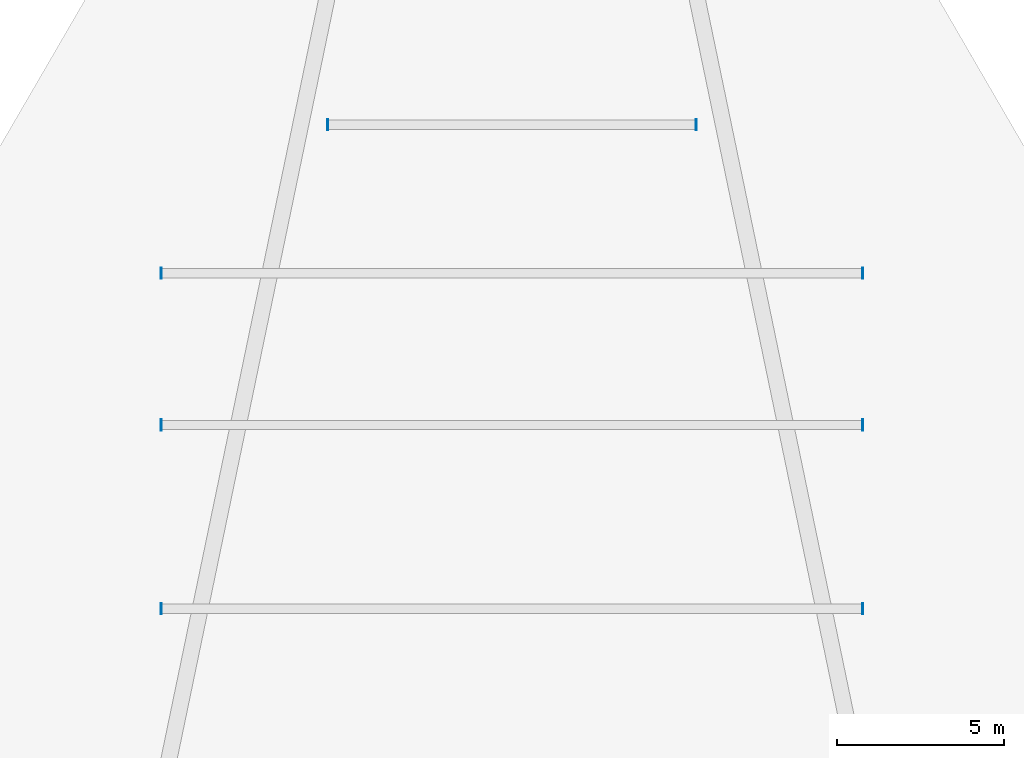
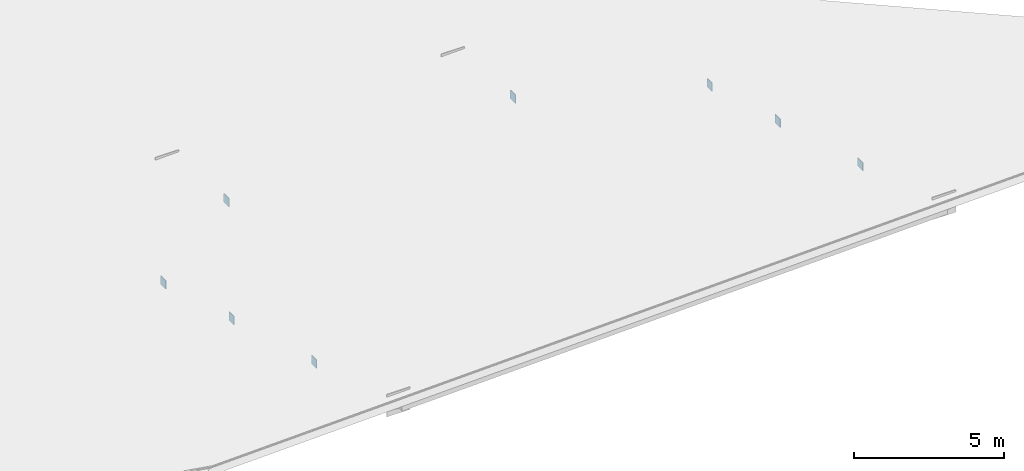
# One storey, part 2 of 4: 8 plates.
"""IFC4 building model written with IfcOpenShell, lengths in metres."""

from ifc_helpers import new_model, si_unit, direction, frame, origin, origin_2d, place, context, subcontext, project, spatial, rectangle, extrude, source, transform, mapped, material, layer, layer_set, type_object, element, save


model = new_model("IFC4")

# Units and contexts
model_context = context("Model", 3, precision=1e-05, world=origin(), true_north=direction((0.0, 1.0)))
body_context = subcontext(model_context, "Body", "Model", "MODEL_VIEW")
ifc_project = project(units=[si_unit("LENGTHUNIT", "METRE"), si_unit("AREAUNIT", "SQUARE_METRE"), si_unit("VOLUMEUNIT", "CUBIC_METRE"), si_unit("PLANEANGLEUNIT", "RADIAN"), si_unit("MASSUNIT", "GRAM", prefix="KILO")], contexts=[model_context])

# Site, building, storey
site_placement = place(None, origin())
site = spatial("IfcSite", under=ifc_project, at=site_placement, CompositionType="ELEMENT")
building_placement = place(site_placement, origin())
building = spatial("IfcBuilding", under=site, at=building_placement, Name="Varnakhor Terracotta Tower", CompositionType="ELEMENT")
storey_placement = place(building_placement, frame((0.0, 0.0, 333.10009765625)))
storey = spatial("IfcBuildingStorey", under=building, at=storey_placement, Name="RF", CompositionType="ELEMENT", Elevation=333.10009765625)

# Plates
ifc_material = material(Name="Steel S355", Category="steel")
ifc_layer = layer(ifc_material, 0.028076171875, Name="Steel S355")
ifc_layer_set = layer_set([ifc_layer], Name="Steel S355")
plate_type = type_object("IfcPlateType", Name="PLT-CAP-28", PredefinedType="USERDEFINED", material=ifc_layer_set)
shared_shape = source(origin(), body_context, "Body", "SweptSolid", [
    extrude(rectangle(XDim=0.028076171875, YDim=0.340087890625, at=origin_2d()), origin(), (0.0, 0.0, 1.0), 0.340087890625),
])
for number, where, z_axis, x_axis, name in (
    (1, (-10.513916015625, 6.0, 7.29296875), (0.0, 0.0, 1.0), (1.0, 0.0, 0.0), "Crown Purlin 1 W End Cap Plate"),
    (2, (10.513916015625, 6.0, 7.96533203125), (0.0, 0.0, 1.0), (1.0, 0.0, 0.0), "Crown Purlin 1 E End Cap Plate"),
    (3, (-10.513916015625, 11.5, 5.7255859375), (0.0, 0.0, 1.0), (1.0, 0.0, 0.0), "Crown Purlin 2 W End Cap Plate"),
    (4, (10.513916015625, 11.5, 6.3974609375), (0.0, 0.0, 1.0), (1.0, 0.0, 0.0), "Crown Purlin 2 E End Cap Plate"),
    (5, (-10.513916015625, 16.050048828125, 4.4287109375), (0.0, 0.0, 1.0), (1.0, 0.0, 0.0), "Crown Purlin 3 W End Cap Plate"),
    (6, (10.513916015625, 16.050048828125, 5.10107421875), (0.0, 0.0, 1.0), (1.0, 0.0, 0.0), "Crown Purlin 3 E End Cap Plate"),
    (7, (-5.513916015625, 20.5, 3.32080078125), (0.0, 0.0, 1.0), (1.0, 0.0, 0.0), "Crown Purlin 4 W End Cap Plate"),
    (8, (5.513916015625, 20.5, 3.6728515625), (0.0, 0.0, 1.0), (1.0, 0.0, 0.0), "Crown Purlin 4 E End Cap Plate"),
):
    element("IfcPlate", number, at=place(storey_placement, frame(where, z_axis=z_axis, x_axis=x_axis)), inside=storey, type_object=plate_type, Name=name, ObjectType="CAP PLATE", PredefinedType="USERDEFINED", context=body_context, shape_type="MappedRepresentation", body=[
        mapped(shared_shape, transform((0.0, 0.0, 0.0), scale=1.0)),
    ])

save(model, "model.ifc")
